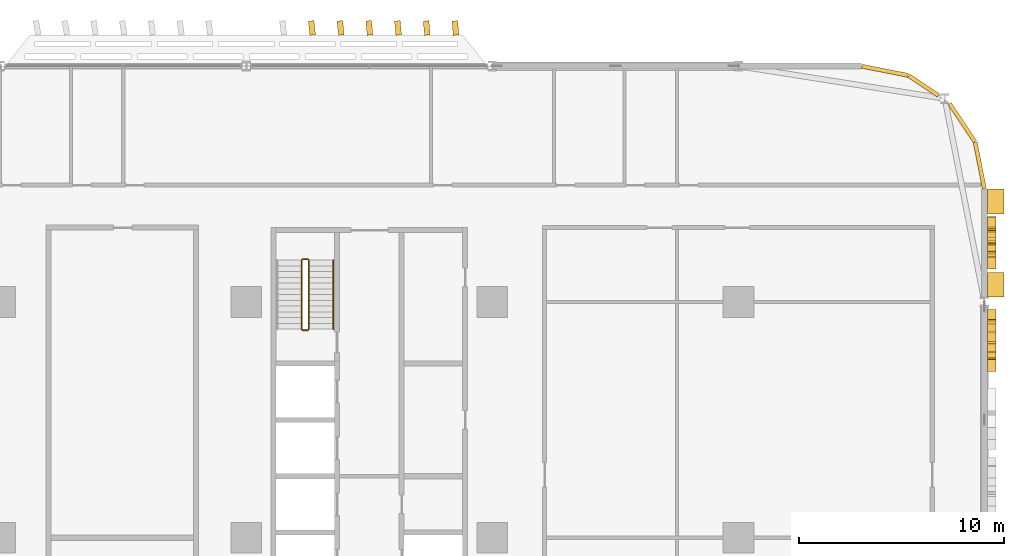
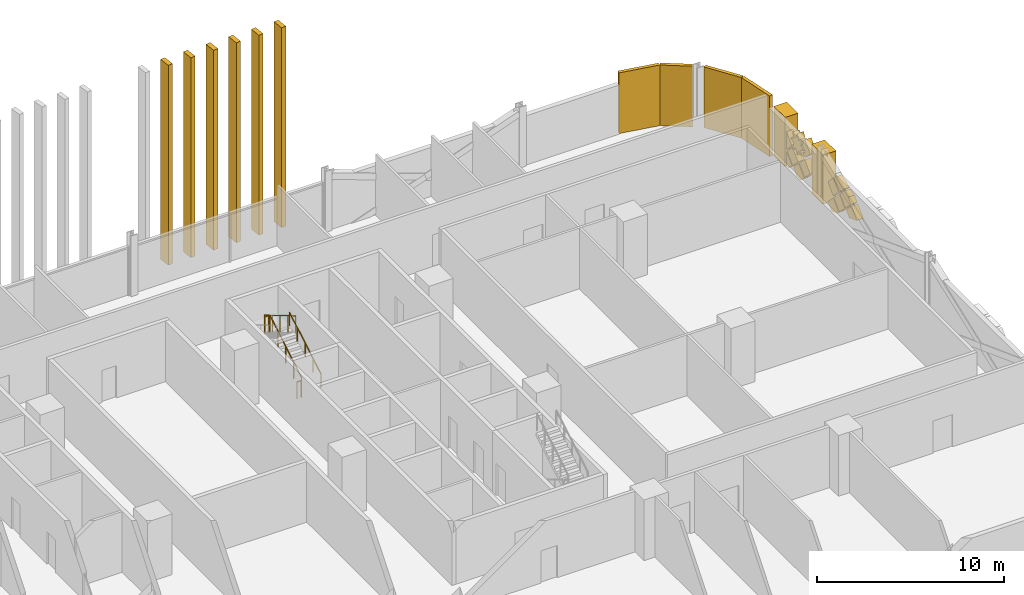
# One storey, part 29 of 29: 25 coverings, 5 railings.
"""IFC4 building model written with IfcOpenShell, lengths in metres."""

from ifc_helpers import new_model, si_unit, direction, frame, origin, origin_2d, place, context, subcontext, project, spatial, polyline, rectangle, circle, outline, extrude, material, layer, layer_set, type_object, element, save


model = new_model("IFC4")

# Units and contexts
model_context = context("Model", 3, precision=1e-05, world=origin(), true_north=direction((0.0, 1.0)))
body_context = subcontext(model_context, "Body", "Model", "MODEL_VIEW")
ifc_project = project(units=[si_unit("LENGTHUNIT", "METRE"), si_unit("AREAUNIT", "SQUARE_METRE"), si_unit("VOLUMEUNIT", "CUBIC_METRE"), si_unit("PLANEANGLEUNIT", "RADIAN"), si_unit("MASSUNIT", "GRAM", prefix="KILO")], contexts=[model_context])

# Site, building, storey
site_placement = place(None, origin())
site = spatial("IfcSite", under=ifc_project, at=site_placement, CompositionType="ELEMENT")
building_placement = place(site_placement, origin())
building = spatial("IfcBuilding", under=site, at=building_placement, Name="Mahtab Terrace Research Tower", CompositionType="ELEMENT")
storey_placement = place(building_placement, frame((0.0, 0.0, 63.199951171875)))
storey = spatial("IfcBuildingStorey", under=building, at=storey_placement, Name="L14", CompositionType="ELEMENT", Elevation=63.199951171875)

# Coverings
ifc_material_1 = material(Name="Black aluminium cladding panel", Category="aluminium")
ifc_layer_1 = layer(ifc_material_1, 0.199951171875)
ifc_layer_set_1 = layer_set([ifc_layer_1], Name="Black metal corner cladding 200")
covering_type_1 = type_object("IfcCoveringType", Name="Black metal corner cladding 200", PredefinedType="CLADDING", material=ifc_layer_set_1)
covering_1_placement = place(storey_placement, frame((52.911376953125, 20.2421875, 0.0), z_axis=(0.0, 0.0, 1.0), x_axis=(-0.555291490808, 0.831655794326, 0.0)))
element("IfcCovering", 1, at=covering_1_placement, inside=storey, type_object=covering_type_1, Name="Corner cladding L14 0", PredefinedType="CLADDING", context=body_context, shape_type="SweptSolid", body=[
    extrude(rectangle(XDim=2.235595703125, YDim=0.199951171875, at=origin_2d()), origin(), (0.0, 0.0, 1.0), 3.9599609375),
])
covering_2_placement = place(storey_placement, frame((51.0380859375, 22.047607421875, 0.0), z_axis=(0.0, 0.0, 1.0), x_axis=(-0.831655794326, 0.555291490808, 0.0)))
element("IfcCovering", 2, at=covering_2_placement, inside=storey, type_object=covering_type_1, Name="Corner cladding L14 1", PredefinedType="CLADDING", context=body_context, shape_type="SweptSolid", body=[
    extrude(rectangle(XDim=1.74462890625, YDim=0.199951171875, at=origin_2d()), origin(), (0.0, 0.0, 1.0), 3.9599609375),
])
for number, where, z_axis, x_axis, name in (
    (3, (49.14794921875, 22.771484375, 0.0), (0.0, 0.0, 1.0), (-0.980760981187, 0.195212442692, 0.0), "Corner cladding L14 2"),
    (4, (53.771484375, 18.14794921875, 0.0), (0.0, 0.0, 1.0), (-0.195212442692, 0.980760981187, 0.0), "Corner cladding L14 39"),
):
    element("IfcCovering", number, at=place(storey_placement, frame(where, z_axis=z_axis, x_axis=x_axis)), inside=storey, type_object=covering_type_1, Name=name, PredefinedType="CLADDING", context=body_context, shape_type="SweptSolid", body=[
        extrude(rectangle(XDim=2.30126953125, YDim=0.199951171875, at=origin_2d()), origin(), (0.0, 0.0, 1.0), 3.9599609375),
    ])
ifc_material_2 = material(Name="Bronze anodised aluminium", Category="aluminium")
ifc_layer_2 = layer(ifc_material_2, 0.39990234375)
ifc_layer_set_2 = layer_set([ifc_layer_2], Name="Mashrabiya relief panel 400")
covering_type_2 = type_object("IfcCoveringType", Name="Mashrabiya relief panel 400", PredefinedType="CLADDING", material=ifc_layer_set_2)
covering_3_placement = place(storey_placement, frame((54.14990234375, 8.10791015625, 1.150146484375), z_axis=(-1.0, 0.0, 0.0), x_axis=(0.0, 0.707255598772, 0.706957932274)))
element("IfcCovering", 5, at=covering_3_placement, inside=storey, type_object=covering_type_2, Name="Mashrabiya lattice cell L14 E37.13", PredefinedType="CLADDING", context=body_context, shape_type="SweptSolid", body=[
    extrude(outline(polyline([(0.0, 0.0), (0.8201817362875763, 0.0), (0.8205270032629295, 0.8201816636150915), (0.3482017809798629, 0.8202810795743176), (1.2208977448815994e-05, 0.05800485185932397), (0.0, 0.0)])), origin(), (0.0, 0.0, -1.0), 0.39990234375),
])
covering_4_placement = place(storey_placement, frame((54.14990234375, 9.91796875, 1.800048828125), z_axis=(-1.0, 0.0, 0.0), x_axis=(0.0, -0.707106781187, -0.707106781187)))
element("IfcCovering", 6, at=covering_4_placement, inside=storey, type_object=covering_type_2, Name="Mashrabiya lattice cell L14 E37.14", PredefinedType="CLADDING", context=body_context, shape_type="SweptSolid", body=[
    extrude(outline(polyline([(0.0, 0.0), (0.8203543516109556, 0.0), (0.820181718119455, 0.820181718119455), (0.4100045423139772, 0.820181718119455), (0.0, 0.6335649138072826), (0.0, 0.0)])), origin(), (0.0, 0.0, -1.0), 0.39990234375),
])
covering_5_placement = place(storey_placement, frame((54.14990234375, 9.988037109375, 1.72998046875), z_axis=(-1.0, 0.0, 0.0), x_axis=(0.0, 0.707255598772, -0.706957932274)))
element("IfcCovering", 7, at=covering_5_placement, inside=storey, type_object=covering_type_2, Name="Mashrabiya lattice cell L14 E37.15", PredefinedType="CLADDING", context=body_context, shape_type="SweptSolid", body=[
    extrude(outline(polyline([(0.0, 0.0), (0.8201817362875763, 0.0), (0.8200090664636573, 0.8203543334390104), (-0.0003452669753531423, 0.8201816636150915), (0.0, 0.0)])), origin(), (0.0, 0.0, -1.0), 0.39990234375),
])
covering_6_placement = place(storey_placement, frame((54.14990234375, 10.568115234375, 2.449951171875), z_axis=(-1.0, 0.0, 0.0), x_axis=(0.0, -0.707255598772, -0.706957932274)))
element("IfcCovering", 8, at=covering_6_placement, inside=storey, type_object=covering_type_2, Name="Mashrabiya lattice cell L14 E37.16", PredefinedType="CLADDING", context=body_context, shape_type="SweptSolid", body=[
    extrude(outline(polyline([(0.0, 0.0), (0.8201817362875763, 0.0), (0.8203055702017, 0.5883349260017146), (4.5274958039367985e-05, 0.21510132564499307), (0.0, 0.0)])), origin(), (0.0, 0.0, -1.0), 0.39990234375),
])
covering_7_placement = place(storey_placement, frame((54.14990234375, 10.05810546875, 0.5), z_axis=(-1.0, 0.0, 0.0), x_axis=(0.0, 0.706957932274, 0.707255598772)))
element("IfcCovering", 9, at=covering_7_placement, inside=storey, type_object=covering_type_2, Name="Mashrabiya lattice cell L14 E37.17", PredefinedType="CLADDING", context=body_context, shape_type="SweptSolid", body=[
    extrude(outline(polyline([(0.0, 0.0), (0.8201817362875763, 0.0), (0.820036173300493, 0.6915697516322971), (0.691224484656944, 0.8203272266021747), (0.3038349383107446, 0.8202456880742129), (0.23376049482847877, 0.7501417395631125), (-4.970797961303952e-05, 0.2361626111415333), (0.0, 0.0)])), origin(), (0.0, 0.0, -1.0), 0.39990234375),
])
covering_8_placement = place(storey_placement, frame((54.14990234375, 10.637939453125, 1.219970703125), z_axis=(-1.0, 0.0, 0.0), x_axis=(0.0, -0.706957932274, 0.707255598772)))
element("IfcCovering", 10, at=covering_8_placement, inside=storey, type_object=covering_type_2, Name="Mashrabiya lattice cell L14 E37.18", PredefinedType="CLADDING", context=body_context, shape_type="SweptSolid", body=[
    extrude(outline(polyline([(0.0, 0.0), (0.8201817362875763, 0.0), (0.8205270032629295, 0.8201816636150915), (0.12895725163063232, 0.8203272266021746), (0.00014556298708318094, 0.6915697516322972), (0.0, 0.0)])), origin(), (0.0, 0.0, -1.0), 0.39990234375),
])
covering_9_placement = place(storey_placement, frame((54.14990234375, 14.633056640625, 2.60107421875), z_axis=(-1.0, 0.0, 0.0), x_axis=(0.0, 0.924691461768, 0.380717349925)))
element("IfcCovering", 11, at=covering_9_placement, inside=storey, type_object=covering_type_2, Name="Girih star panel L14 E38.1", PredefinedType="CLADDING", context=body_context, shape_type="SweptSolid", body=[
    extrude(outline(polyline([(0.0, 0.0), (0.3783462161056796, 2.7755575615628914e-17), (0.11208841562376498, 0.2689856047531158), (0.3794805037610448, 0.5359074361332754), (0.001665512373961231, 0.5371822494259442), (0.0014397576225531616, 0.9154355169598647), (-0.26722714380739543, 0.6490449102983011), (-0.5342419237593141, 0.9166627531869891), (-0.5354237884802239, 0.5386220070484974), (-0.9139957593373116, 0.5385290584767383), (-0.647605152675748, 0.2698621570467897), (-0.9149972408130278, 0.0029403256666300503), (-0.5371822494259442, 0.001665512373961231), (-0.537089300854185, -0.3769064584831264), (-0.26819664467282844, -0.11042290324980375), (-0.0012748132926687916, -0.3778149913870835), (0.0, 0.0)])), origin(), (0.0, 0.0, -1.0), 0.39990234375),
])
covering_10_placement = place(storey_placement, frame((54.14990234375, 13.68798828125, 1.72998046875), z_axis=(-1.0, 0.0, 0.0), x_axis=(0.0, 0.707255598772, -0.706957932274)))
element("IfcCovering", 12, at=covering_10_placement, inside=storey, type_object=covering_type_2, Name="Mashrabiya lattice cell L14 E38.2", PredefinedType="CLADDING", context=body_context, shape_type="SweptSolid", body=[
    extrude(outline(polyline([(0.0, 0.0), (0.8201817362875763, 0.0), (0.8200090664636573, 0.8203543334390104), (-0.0003452669753531423, 0.8201816636150915), (0.0, 0.0)])), origin(), (0.0, 0.0, -1.0), 0.39990234375),
])
covering_11_placement = place(storey_placement, frame((54.14990234375, 13.68798828125, 1.8701171875), z_axis=(-1.0, 0.0, 0.0), x_axis=(0.0, -0.707255598772, 0.706957932274)))
element("IfcCovering", 13, at=covering_11_placement, inside=storey, type_object=covering_type_2, Name="Mashrabiya lattice cell L14 E38.3", PredefinedType="CLADDING", context=body_context, shape_type="SweptSolid", body=[
    extrude(outline(polyline([(0.0, 0.0), (0.8201817362875763, 0.0), (0.8200090664636573, 0.8203543334390104), (0.5372354136494529, 0.8202948146739475), (0.5158413608449477, 0.7609043892191526), (0.47631661316652674, 0.7213629995417092), (0.22964556072083417, 0.6158320140809315), (0.32740640410525834, 0.3769278334497757), (0.32293639223681064, 0.28922907696778094), (0.27426668441431784, 0.22776130853456694), (0.2000392264423647, 0.20426752962631975), (-0.00023037177686158206, 0.2743145755818105), (0.0, 0.0)])), origin(), (0.0, 0.0, -1.0), 0.39990234375),
])
covering_12_placement = place(storey_placement, frame((54.14990234375, 13.758056640625, 0.5), z_axis=(-1.0, 0.0, 0.0), x_axis=(0.0, 0.706957932274, 0.707255598772)))
element("IfcCovering", 14, at=covering_12_placement, inside=storey, type_object=covering_type_2, Name="Mashrabiya lattice cell L14 E38.4", PredefinedType="CLADDING", context=body_context, shape_type="SweptSolid", body=[
    extrude(outline(polyline([(0.0, 0.0), (0.8201817362875763, 0.0), (0.8200090664636573, 0.8203543334390104), (0.3038349383107446, 0.8202456880742129), (-0.00010864536479748832, 0.5161741281529127), (0.0, 0.0)])), origin(), (0.0, 0.0, -1.0), 0.39990234375),
])
covering_13_placement = place(storey_placement, frame((54.14990234375, 15.568115234375, 1.150146484375), z_axis=(-1.0, 0.0, 0.0), x_axis=(0.0, -0.707106781187, -0.707106781187)))
element("IfcCovering", 15, at=covering_13_placement, inside=storey, type_object=covering_type_2, Name="Mashrabiya lattice cell L14 E38.5", PredefinedType="CLADDING", context=body_context, shape_type="SweptSolid", body=[
    extrude(outline(polyline([(0.0, 0.0), (0.8203543516109556, 0.0), (0.8203543516109556, 0.8203543516109556), (0.12326031293144407, 0.8203543516109555), (0.07992930656478797, 0.7445682488421825), (0.0, 0.7071067811865476), (0.0, 0.0)])), origin(), (0.0, 0.0, -1.0), 0.39990234375),
])
covering_14_placement = place(storey_placement, frame((54.14990234375, 15.05810546875, 0.5), z_axis=(-1.0, 0.0, 0.0), x_axis=(0.0, 0.706957932274, 0.707255598772)))
element("IfcCovering", 16, at=covering_14_placement, inside=storey, type_object=covering_type_2, Name="Mashrabiya lattice cell L14 E38.6", PredefinedType="CLADDING", context=body_context, shape_type="SweptSolid", body=[
    extrude(outline(polyline([(0.0, 0.0), (0.8201817362875763, 0.0), (0.8201736696417619, 0.03832463426419619), (0.17093513170644736, 0.6872899236566087), (-0.00010864536479748832, 0.5161741281529127), (0.0, 0.0)])), origin(), (0.0, 0.0, -1.0), 0.39990234375),
])
covering_15_placement = place(storey_placement, frame((54.14990234375, 15.637939453125, 1.219970703125), z_axis=(-1.0, 0.0, 0.0), x_axis=(0.0, -0.707106781187, 0.707106781187)))
element("IfcCovering", 17, at=covering_15_placement, inside=storey, type_object=covering_type_2, Name="Mashrabiya lattice cell L14 E38.7", PredefinedType="CLADDING", context=body_context, shape_type="SweptSolid", body=[
    extrude(outline(polyline([(0.0, 0.0), (0.7367997417246546, 0.0), (0.8203543516109556, 0.052480581416189054), (0.8203543516109556, 0.8203543516109556), (0.7820297164978175, 0.8203543516109556), (0.0, 0.03832463511313808), (0.0, 0.0)])), origin(), (0.0, 0.0, -1.0), 0.39990234375),
])
ifc_material_3 = material(Name="Glazed ceramic tile cladding", Category="masonry")
ifc_layer_3 = layer(ifc_material_3, 0.800048828125)
ifc_layer_set_3 = layer_set([ifc_layer_3], Name="Pishtaq frame pier 800")
covering_type_3 = type_object("IfcCoveringType", Name="Pishtaq frame pier 800", PredefinedType="CLADDING", material=ifc_layer_set_3)
for number, where, z_axis, x_axis, name in (
    (18, (54.550048828125, 12.337890625, 0.00048828125), (0.0, 0.0, 1.0), (0.0, 1.0, 0.0), "Pishtaq frame pier 38a"),
    (19, (54.550048828125, 16.39990234375, 0.00048828125), (0.0, 0.0, 1.0), (0.0, 1.0, 0.0), "Pishtaq frame pier 38b"),
):
    element("IfcCovering", number, at=place(storey_placement, frame(where, z_axis=z_axis, x_axis=x_axis)), inside=storey, type_object=covering_type_3, Name=name, PredefinedType="CLADDING", context=body_context, shape_type="SweptSolid", body=[
        extrude(rectangle(XDim=1.199951171875, YDim=0.800048828125, at=origin_2d()), origin(), (0.0, 0.0, 1.0), 3.202880859375),
    ])

# Railings
ifc_material_4 = material(Name="Stainless steel AISI 304", Category="steel")
railing_type_1 = type_object("IfcRailingType", Name="Stair guard 1100", PredefinedType="GUARDRAIL", material=ifc_material_4)
railing_1_placement = place(storey_placement, frame((21.050048828125, 10.175048828125, 0.16552734375)))
element("IfcRailing", 20, at=railing_1_placement, inside=storey, type_object=railing_type_1, Name="L14 ST3 stair guard 1", PredefinedType="GUARDRAIL", context=body_context, shape_type="SweptSolid", body=[
    extrude(circle(Radius=0.02392578125, at=origin_2d()), frame((0.0, 0.0, 1.076171875), z_axis=(0.0, 0.861011212953, 0.508585972249), x_axis=(-1.0, 0.0, 0.0)), (0.0, 0.0, 1.0), 3.90234375),
    extrude(circle(Radius=0.02099609375, at=origin_2d()), origin(), (0.0, 0.0, 1.0), 1.052001953125),
    extrude(circle(Radius=0.02099609375, at=origin_2d()), frame((0.0, 0.83984375, 0.49609375)), (0.0, 0.0, 1.0), 1.052001953125),
    extrude(circle(Radius=0.02099609375, at=origin_2d()), frame((0.0, 1.679931640625, 0.9921875)), (0.0, 0.0, 1.0), 1.052001953125),
    extrude(circle(Radius=0.02099609375, at=origin_2d()), frame((0.0, 2.52001953125, 1.488525390625)), (0.0, 0.0, 1.0), 1.052001953125),
    extrude(circle(Radius=0.02099609375, at=origin_2d()), frame((0.0, 3.35986328125, 1.984619140625)), (0.0, 0.0, 1.0), 1.052001953125),
])
railing_2_placement = place(storey_placement, frame((21.0, 13.5849609375, 2.150146484375)))
element("IfcRailing", 21, at=railing_2_placement, inside=storey, type_object=railing_type_1, Name="L14 ST3 stair guard 2", PredefinedType="GUARDRAIL", context=body_context, shape_type="SweptSolid", body=[
    extrude(circle(Radius=0.02392578125, at=origin_2d()), frame((0.0, 0.0, 1.076171875), z_axis=(-1.0, 0.0, 0.0), x_axis=(0.0, -1.0, 0.0)), (0.0, 0.0, 1.0), 0.25),
    extrude(circle(Radius=0.02099609375, at=origin_2d()), origin(), (0.0, 0.0, 1.0), 1.052001953125),
    extrude(circle(Radius=0.02099609375, at=origin_2d()), frame((-0.25, 0.0, 0.0)), (0.0, 0.0, 1.0), 1.052001953125),
])
railing_3_placement = place(storey_placement, frame((20.699951171875, 13.534912109375, 2.3154296875)))
element("IfcRailing", 22, at=railing_3_placement, inside=storey, type_object=railing_type_1, Name="L14 ST3 stair guard 3", PredefinedType="GUARDRAIL", context=body_context, shape_type="SweptSolid", body=[
    extrude(circle(Radius=0.02392578125, at=origin_2d()), frame((0.0, 0.0, 1.076171875), z_axis=(0.0, -0.861011212953, 0.508585972249), x_axis=(1.0, 0.0, 0.0)), (0.0, 0.0, 1.0), 3.90234375),
    extrude(circle(Radius=0.02099609375, at=origin_2d()), origin(), (0.0, 0.0, 1.0), 1.052001953125),
    extrude(circle(Radius=0.02099609375, at=origin_2d()), frame((0.0, -0.83984375, 0.49609375)), (0.0, 0.0, 1.0), 1.052001953125),
    extrude(circle(Radius=0.02099609375, at=origin_2d()), frame((0.0, -1.679931640625, 0.9921875)), (0.0, 0.0, 1.0), 1.052001953125),
    extrude(circle(Radius=0.02099609375, at=origin_2d()), frame((0.0, -2.52001953125, 1.488525390625)), (0.0, 0.0, 1.0), 1.052001953125),
    extrude(circle(Radius=0.02099609375, at=origin_2d()), frame((0.0, -3.35986328125, 1.984619140625)), (0.0, 0.0, 1.0), 1.052001953125),
])
railing_4_placement = place(storey_placement, frame((21.0, 10.125, 0.0)))
element("IfcRailing", 23, at=railing_4_placement, inside=storey, type_object=railing_type_1, Name="L14 ST3 stair guard 4", PredefinedType="GUARDRAIL", context=body_context, shape_type="SweptSolid", body=[
    extrude(circle(Radius=0.02392578125, at=origin_2d()), frame((0.0, 0.0, 1.076171875), z_axis=(-1.0, 0.0, 0.0), x_axis=(0.0, -1.0, 0.0)), (0.0, 0.0, 1.0), 0.25),
    extrude(circle(Radius=0.02099609375, at=origin_2d()), origin(), (0.0, 0.0, 1.0), 1.052001953125),
    extrude(circle(Radius=0.02099609375, at=origin_2d()), frame((-0.25, 0.0, 0.0)), (0.0, 0.0, 1.0), 1.052001953125),
])
railing_type_2 = type_object("IfcRailingType", Name="Stair handrail 900", PredefinedType="HANDRAIL", material=ifc_material_4)
railing_5_placement = place(storey_placement, frame((22.25, 10.175048828125, 0.16552734375)))
element("IfcRailing", 24, at=railing_5_placement, inside=storey, type_object=railing_type_2, Name="L14 ST3 stair handrail 1", PredefinedType="HANDRAIL", context=body_context, shape_type="SweptSolid", body=[
    extrude(circle(Radius=0.02392578125, at=origin_2d()), frame((0.0, 0.0, 0.8759765625), z_axis=(0.0, 0.861011212953, 0.508585972249), x_axis=(-1.0, 0.0, 0.0)), (0.0, 0.0, 1.0), 3.90234375),
    extrude(circle(Radius=0.02099609375, at=origin_2d()), origin(), (0.0, 0.0, 1.0), 0.851806640625),
    extrude(circle(Radius=0.02099609375, at=origin_2d()), frame((0.0, 0.83984375, 0.49609375)), (0.0, 0.0, 1.0), 0.851806640625),
    extrude(circle(Radius=0.02099609375, at=origin_2d()), frame((0.0, 1.679931640625, 0.9921875)), (0.0, 0.0, 1.0), 0.851806640625),
    extrude(circle(Radius=0.02099609375, at=origin_2d()), frame((0.0, 2.52001953125, 1.488525390625)), (0.0, 0.0, 1.0), 0.851806640625),
    extrude(circle(Radius=0.02099609375, at=origin_2d()), frame((0.0, 3.35986328125, 1.984619140625)), (0.0, 0.0, 1.0), 0.851806640625),
])

# Coverings
ifc_layer_4 = layer(ifc_material_2, 0.1201171875)
ifc_layer_set_4 = layer_set([ifc_layer_4], Name="Vertical fin 700")
covering_type_4 = type_object("IfcCoveringType", Name="Vertical fin 700", PredefinedType="CLADDING", material=ifc_layer_set_4)
for number, where, z_axis, x_axis, name in (
    (25, (28.199951171875, 24.8603515625, -0.14990234375), (0.0, 0.0, 1.0), (-0.996616925886, -0.082187000416, 0.0), "Fin L14 N1"),
    (26, (26.800048828125, 24.86083984375, -0.14990234375), (0.0, 0.0, 1.0), (-0.996121918106, -0.087983659104, 0.0), "Fin L14 N2"),
    (27, (25.39990234375, 24.861572265625, -0.14990234375), (0.0, 0.0, 1.0), (-0.995593195301, -0.093777339855, 0.0), "Fin L14 N3"),
    (28, (24.0, 24.8623046875, -0.14990234375), (0.0, 0.0, 1.0), (-0.995030775366, -0.099567846591, 0.0), "Fin L14 N4"),
    (29, (22.60009765625, 24.86279296875, -0.14990234375), (0.0, 0.0, 1.0), (-0.994434677334, -0.105354983343, 0.0), "Fin L14 N5"),
    (30, (21.199951171875, 24.86328125, -0.14990234375), (0.0, 0.0, 1.0), (-0.993804921385, -0.111138554202, 0.0), "Fin L14 N6"),
):
    element("IfcCovering", number, at=place(storey_placement, frame(where, z_axis=z_axis, x_axis=x_axis)), inside=storey, type_object=covering_type_4, Name=name, PredefinedType="CLADDING", context=body_context, shape_type="SweptSolid", body=[
        extrude(rectangle(XDim=0.280029296875, YDim=0.699951171875, at=origin_2d()), origin(), (0.0, 0.0, 1.0), 13.050048828125),
    ])

save(model, "model.ifc")
